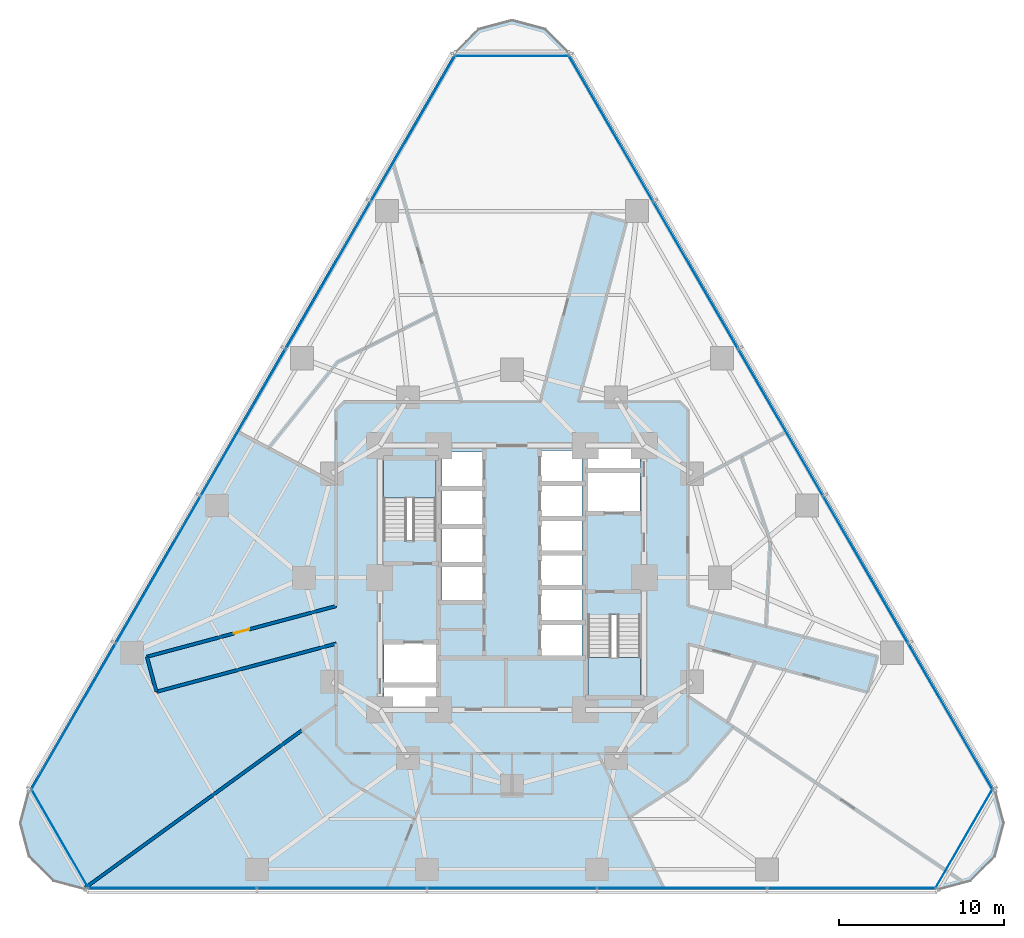
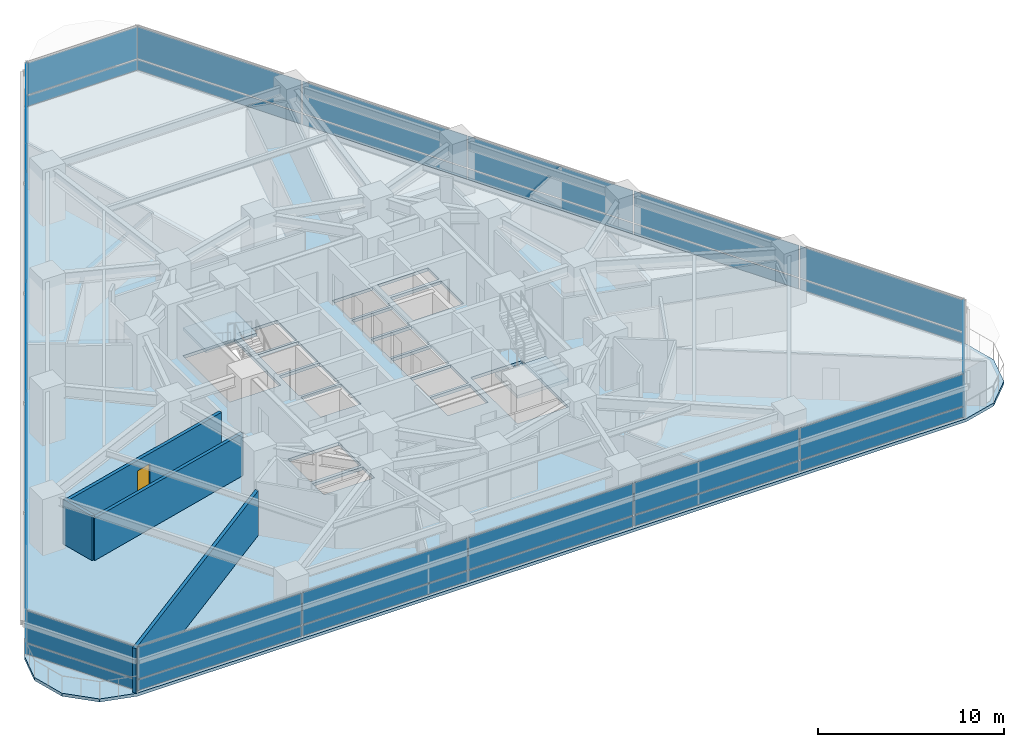
# One storey, part 7 of 16: 36 plates, 4 walls, 3 slabs, 1 door, 1 opening, 8 elements without a shape of their own.
"""IFC4 building model written with IfcOpenShell, lengths in metres."""

import ifcopenshell
import ifcopenshell.guid

model = None  # the IFC model being written
_history = None  # IfcOwnerHistory: only IFC2X3 demands one
_inside = {}  # id of a spatial element -> (the spatial element, [elements in it])
_under = {}  # id of a project, library or spatial element -> (it, [spatial elements below it])
_declared = {}  # id of a project -> (the project, [libraries it declares])
_typed = {}  # id of a type object -> (the type object, [elements of that type])
_made_of = {}  # id of a material, layer set ... -> (it, [elements and type objects made of it])


def new_model(schema):
    """Start an empty IFC model of exactly this schema.

    Asked for "IFC4X3", IfcOpenShell would pick the latest addendum, in which some entities
    have other attributes; the version numbers below select the first issue.
    IFC2X3 requires an IfcOwnerHistory on every rooted entity: one is made here for all.
    """
    global model, _history
    if schema == "IFC4X3":
        model = ifcopenshell.file(schema_version=(4, 3, 0, 0))
    else:
        model = ifcopenshell.file(schema=schema)
    _inside.clear()
    _under.clear()
    _declared.clear()
    _typed.clear()
    _made_of.clear()
    _history = None
    if model.schema == "IFC2X3":
        org = make("IfcOrganization", Name="unknown")
        user = make(
            "IfcPersonAndOrganization",
            ThePerson=make("IfcPerson", FamilyName="unknown"),
            TheOrganization=org,
        )
        app = make(
            "IfcApplication",
            ApplicationDeveloper=org,
            Version="unknown",
            ApplicationFullName="unknown",
            ApplicationIdentifier="unknown",
        )
        _history = make(
            "IfcOwnerHistory",
            OwningUser=user,
            OwningApplication=app,
            ChangeAction="ADDED",
            CreationDate=0,
        )
    return model


def make(cls, **values):
    """One entity of the class cls with the attributes given. An attribute that is None is left unset."""
    return model.create_entity(
        cls, **{name: value for name, value in values.items() if value is not None}
    )


def rooted(cls, **values):
    """An entity with a GlobalId (a new one), such as an element, a storey or a relation."""
    return make(cls, GlobalId=ifcopenshell.guid.new(), OwnerHistory=_history, **values)


def si_unit(unit_type, name, prefix=None):
    """IfcSIUnit, for example si_unit("LENGTHUNIT", "METRE", prefix="MILLI")."""
    return make("IfcSIUnit", UnitType=unit_type, Prefix=prefix, Name=name)


def assignment(units):
    """IfcUnitAssignment: the units of a project."""
    return None if units is None else make("IfcUnitAssignment", Units=units)


def point(xyz):
    """IfcCartesianPoint."""
    return None if xyz is None else make("IfcCartesianPoint", Coordinates=xyz)


def direction(xyz):
    """IfcDirection."""
    return None if xyz is None else make("IfcDirection", DirectionRatios=xyz)


def frame(location, z_axis=None, x_axis=None):
    """IfcAxis2Placement3D, a coordinate frame: its origin and axes. An axis left out is left unset."""
    return make(
        "IfcAxis2Placement3D",
        Location=point(location),
        Axis=direction(z_axis),
        RefDirection=direction(x_axis),
    )


def frame_2d(location, x_axis=None):
    """IfcAxis2Placement2D, a coordinate frame in the plane: its origin and x axis."""
    return make(
        "IfcAxis2Placement2D", Location=point(location), RefDirection=direction(x_axis)
    )


def origin():
    """The frame at (0, 0, 0) with its axes left unset."""
    return frame((0.0, 0.0, 0.0))


def origin_2d():
    """The frame at (0, 0) in the plane with its x axis left unset."""
    return frame_2d((0.0, 0.0))


def place(relative_to, where):
    """IfcLocalPlacement: puts the frame where relative to a parent placement (None: the world)."""
    return make(
        "IfcLocalPlacement", PlacementRelTo=relative_to, RelativePlacement=where
    )


def context(
    kind, dimensions, precision=None, world=None, true_north=None, identifier=None
):
    """IfcGeometricRepresentationContext, for example the 3D "Model" context."""
    return make(
        "IfcGeometricRepresentationContext",
        ContextIdentifier=identifier,
        ContextType=kind,
        CoordinateSpaceDimension=dimensions,
        Precision=precision,
        WorldCoordinateSystem=world,
        TrueNorth=true_north,
    )


def subcontext(parent, identifier, kind, view, scale=None):
    """IfcGeometricRepresentationSubContext, for example "Body" below "Model"."""
    return make(
        "IfcGeometricRepresentationSubContext",
        ContextIdentifier=identifier,
        ContextType=kind,
        ParentContext=parent,
        TargetScale=scale,
        TargetView=view,
    )


def project(units=None, contexts=None):
    """IfcProject with its units and contexts."""
    return rooted(
        "IfcProject",
        Name="project",
        RepresentationContexts=contexts,
        UnitsInContext=assignment(units),
    )


def spatial(cls, under=None, at=None, **own):
    """A site, building, storey or space (cls), placed at a placement, below another one or the project."""
    s = rooted(cls, ObjectPlacement=at, **own)
    if under is not None:
        _under.setdefault(under.id(), (under, []))[1].append(s)
    return s


def polyline(points):
    """IfcPolyline through the points."""
    return make("IfcPolyline", Points=[point(p) for p in points])


def profile(cls, at=None, kind="AREA", **sizes):
    """A parametric profile (cls). Its sizes go by their IFC names, for example OverallWidth=200.0."""
    return make(cls, ProfileType=kind, Position=at, **sizes)


def rectangle(**sizes):
    """IfcRectangleProfileDef."""
    return profile("IfcRectangleProfileDef", **sizes)


def outline(outer, holes=None, kind="AREA"):
    """IfcArbitraryClosedProfileDef: a profile drawn as a closed curve; with holes, ...WithVoids."""
    if holes is None:
        return make("IfcArbitraryClosedProfileDef", ProfileType=kind, OuterCurve=outer)
    return make(
        "IfcArbitraryProfileDefWithVoids",
        ProfileType=kind,
        OuterCurve=outer,
        InnerCurves=holes,
    )


def extrude(swept, where, along, depth):
    """IfcExtrudedAreaSolid: the profile swept, set in the frame where, extruded along a direction by depth."""
    return make(
        "IfcExtrudedAreaSolid",
        SweptArea=swept,
        Position=where,
        ExtrudedDirection=direction(along),
        Depth=depth,
    )


def shape(context_of_items, identifier, shape_type, items):
    """IfcShapeRepresentation: the items that make up one representation, for example the "Body"."""
    return make(
        "IfcShapeRepresentation",
        ContextOfItems=context_of_items,
        RepresentationIdentifier=identifier,
        RepresentationType=shape_type,
        Items=items,
    )


def material(Name=None, Category=None):
    """IfcMaterial."""
    return make("IfcMaterial", Name=Name, Category=Category)


def layer(
    of_material, thickness, ventilated=None, Name=None, Category=None, Priority=None
):
    """IfcMaterialLayer: one layer of a wall or slab, of a material (None: an air gap)."""
    return make(
        "IfcMaterialLayer",
        Material=of_material,
        LayerThickness=thickness,
        IsVentilated=ventilated,
        Name=Name,
        Category=Category,
        Priority=Priority,
    )


def layer_set(layers, Name=None):
    """IfcMaterialLayerSet."""
    return make("IfcMaterialLayerSet", MaterialLayers=layers, LayerSetName=Name)


def made_of(thing, what):
    """Note that an element or type object is made of a material, layer set ...; save() writes the relation."""
    if what is not None:
        _made_of.setdefault(what.id(), (what, []))[1].append(thing)
    return thing


def type_object(cls, material=None, **own):
    """A type object (cls), such as IfcWallType, which elements share."""
    return made_of(rooted(cls, **own), material)


def element(
    cls,
    number,
    at=None,
    inside=None,
    cuts=None,
    type_object=None,
    material=None,
    context=None,
    identifier="Body",
    shape_type=None,
    held_by="IfcProductDefinitionShape",
    body=None,
    shapes=None,
    **own,
):
    """One element of the class cls, such as IfcWall. Its Tag is "e" and its number.

    at: its placement. inside: the storey or other place that contains it. cuts: it is an
    opening in that element (IfcRelVoidsElement). A single representation is given by context,
    identifier, shape_type and body (its items); several are given by shapes. held_by: the class
    of the entity that holds the representations. save() writes the other relations.
    """
    e = rooted(cls, Tag="e%d" % number, ObjectPlacement=at, **own)
    if body is not None:
        shapes = [shape(context, identifier, shape_type, body)]
    if shapes is not None:
        e.Representation = make(held_by, Representations=shapes)
    if inside is not None:
        _inside.setdefault(inside.id(), (inside, []))[1].append(e)
    if cuts is not None:
        rooted(
            "IfcRelVoidsElement", RelatingBuildingElement=cuts, RelatedOpeningElement=e
        )
    if type_object is not None:
        _typed.setdefault(type_object.id(), (type_object, []))[1].append(e)
    return made_of(e, material)


def fill(opening, filler):
    """IfcRelFillsElement: the door or window that sits in an opening."""
    return rooted(
        "IfcRelFillsElement",
        RelatingOpeningElement=opening,
        RelatedBuildingElement=filler,
    )


def aggregate(whole, parts):
    """IfcRelAggregates: a whole, such as a stair, and the parts it consists of."""
    return rooted("IfcRelAggregates", RelatingObject=whole, RelatedObjects=parts)


def save(model, path):
    """Write the relations noted so far, then the file.

    IfcRelAggregates (storeys below a building ...), IfcRelContainedInSpatialStructure (elements
    in a storey), IfcRelDefinesByType, IfcRelAssociatesMaterial and IfcRelDeclares: one each for
    every whole, place, type object, material and project.
    """
    for whole, parts in _under.values():
        aggregate(whole, parts)
    for where, things in _inside.values():
        rooted(
            "IfcRelContainedInSpatialStructure",
            RelatedElements=things,
            RelatingStructure=where,
        )
    for kind, things in _typed.values():
        rooted("IfcRelDefinesByType", RelatedObjects=things, RelatingType=kind)
    for what, things in _made_of.values():
        rooted("IfcRelAssociatesMaterial", RelatedObjects=things, RelatingMaterial=what)
    for by, libraries in _declared.values():
        rooted("IfcRelDeclares", RelatingContext=by, RelatedDefinitions=libraries)
    model.write(path)


model = new_model("IFC4")

# Units and contexts
model_context = context("Model", 3, precision=1e-05, world=origin(), true_north=direction((0.0, 1.0)))
body_context = subcontext(model_context, "Body", "Model", "MODEL_VIEW")
ifc_project = project(units=[si_unit("LENGTHUNIT", "METRE"), si_unit("AREAUNIT", "SQUARE_METRE"), si_unit("VOLUMEUNIT", "CUBIC_METRE"), si_unit("PLANEANGLEUNIT", "RADIAN"), si_unit("MASSUNIT", "GRAM", prefix="KILO")], contexts=[model_context])

# Site, building, storey
site_placement = place(None, origin())
site = spatial("IfcSite", under=ifc_project, at=site_placement, CompositionType="ELEMENT")
building_placement = place(site_placement, origin())
building = spatial("IfcBuilding", under=site, at=building_placement, Name="Terralouvre Media Tower", CompositionType="ELEMENT")
storey_placement = place(building_placement, frame((0.0, 0.0, 37.10009765625)))
storey = spatial("IfcBuildingStorey", under=building, at=storey_placement, Name="L08", CompositionType="ELEMENT", Elevation=37.10009765625)

# Slab
ifc_material_1 = material(Name="Concrete C40/50", Category="concrete")
ifc_layer_1 = layer(ifc_material_1, 0.199951171875, Name="Composite Tower Floor Slab S-TYP200")
ifc_layer_set_1 = layer_set([ifc_layer_1], Name="Concrete C40/50")
slab_type_1 = type_object("IfcSlabType", Name="Composite Tower Floor Slab S-TYP200", PredefinedType="FLOOR", material=ifc_layer_set_1)
slab_1_placement = place(storey_placement, frame((0.0, 0.0, -0.2001953125)))
element("IfcSlab", 1, at=slab_1_placement, inside=storey, type_object=slab_type_1, Name="L08 Structural Floor Slab", PredefinedType="FLOOR", context=body_context, shape_type="SweptSolid", body=[
    extrude(outline(polyline([(-29.25732421875, -12.841796875), (-29.800048828125, -14.86669921875), (-29.25732421875, -16.891845703125), (-27.77490234375, -18.374267578125), (-25.75, -18.916748046875), (25.75, -18.916748046875), (27.77490234375, -18.374267578125), (29.25732421875, -16.891845703125), (29.800048828125, -14.86669921875), (29.25732421875, -12.841796875), (3.50732421875, 31.758544921875), (2.02490234375, 33.240966796875), (0.0, 33.783447265625), (-2.02490234375, 33.240966796875), (-3.50732421875, 31.758544921875), (-29.25732421875, -12.841796875)]), holes=[polyline([(-4.60009765625, -7.800048828125), (-7.75, -7.800048828125), (-7.75, -6.60009765625), (-4.60009765625, -6.60009765625), (-4.60009765625, -7.800048828125)]), polyline([(-4.60009765625, -6.39990234375), (-7.75, -6.39990234375), (-7.75, -3.949951171875), (-4.60009765625, -3.949951171875), (-4.60009765625, -6.39990234375)]), polyline([(-1.75, -1.419921875), (-4.25, -1.419921875), (-4.25, 0.719970703125), (-1.75, 0.719970703125), (-1.75, -1.419921875)]), polyline([(-1.75, 0.8798828125), (-4.25, 0.8798828125), (-4.25, 3.02001953125), (-1.75, 3.02001953125), (-1.75, 0.8798828125)]), polyline([(4.25, 1.580078125), (1.75, 1.580078125), (1.75, 3.52001953125), (4.25, 3.52001953125), (4.25, 1.580078125)]), polyline([(-1.75, 3.179931640625), (-4.25, 3.179931640625), (-4.25, 5.320068359375), (-1.75, 5.320068359375), (-1.75, 3.179931640625)]), polyline([(-4.60009765625, 2.2451171875), (-7.780029296875, 2.2451171875), (-7.780029296875, 7.260009765625), (-4.60009765625, 7.260009765625), (-4.60009765625, 2.2451171875)]), polyline([(-1.75, 5.47998046875), (-4.25, 5.47998046875), (-4.25, 7.6201171875), (-1.75, 7.6201171875), (-1.75, 5.47998046875)]), polyline([(4.60009765625, -2.2451171875), (7.780029296875, -2.2451171875), (7.780029296875, -7.260009765625), (4.60009765625, -7.260009765625), (4.60009765625, -2.2451171875)]), polyline([(4.25, -4.719970703125), (1.75, -4.719970703125), (1.75, -2.780029296875), (4.25, -2.780029296875), (4.25, -4.719970703125)]), polyline([(4.25, -2.6201171875), (1.75, -2.6201171875), (1.75, -0.679931640625), (4.25, -0.679931640625), (4.25, -2.6201171875)]), polyline([(4.25, -0.52001953125), (1.75, -0.52001953125), (1.75, 1.419921875), (4.25, 1.419921875), (4.25, -0.52001953125)]), polyline([(4.25, 3.679931640625), (1.75, 3.679931640625), (1.75, 5.6201171875), (4.25, 5.6201171875), (4.25, 3.679931640625)]), polyline([(7.75, 3.949951171875), (4.60009765625, 3.949951171875), (4.60009765625, 6.39990234375), (7.75, 6.39990234375), (7.75, 3.949951171875)]), polyline([(4.25, 5.780029296875), (1.75, 5.780029296875), (1.75, 7.719970703125), (4.25, 7.719970703125), (4.25, 5.780029296875)]), polyline([(7.75, 6.60009765625), (4.60009765625, 6.60009765625), (4.60009765625, 7.800048828125), (7.75, 7.800048828125), (7.75, 6.60009765625)])]), origin(), (0.0, 0.0, 1.0), 0.2001953125),
])

# Stair, slab
ifc_material_2 = material(Name="Concrete C45/55", Category="concrete")
stair_type_1 = type_object("IfcStairType", Name="Dogleg Stair Assembly ST-01", PredefinedType="HALF_TURN_STAIR", material=ifc_material_2)
stair_1_placement = place(storey_placement, origin())
stair_1 = element("IfcStair", 2, at=stair_1_placement, inside=storey, type_object=stair_type_1, Name="L08 Core Pressurised Exit Stair ST-01", PredefinedType="HALF_TURN_STAIR")
ifc_material_3 = material(Name="Concrete C45/55", Category="concrete")
ifc_layer_2 = layer(ifc_material_3, 0.199951171875, Name="Reinforced Concrete Stair Half-Landing SL-LD1")
ifc_layer_set_2 = layer_set([ifc_layer_2], Name="Concrete C45/55")
slab_type_2 = type_object("IfcSlabType", Name="Reinforced Concrete Stair Half-Landing SL-LD1", PredefinedType="LANDING", material=ifc_layer_set_2)
slab_2_placement = place(storey_placement, frame((0.0, 0.0, 1.64990234375)))
slab_2 = element("IfcSlab", 3, at=slab_2_placement, type_object=slab_type_2, Name="ST-01 landing 1", PredefinedType="LANDING", context=body_context, shape_type="SweptSolid", body=[
    extrude(outline(polyline([(-4.60009765625, 4.820068359375), (-4.60009765625, 7.260009765625), (-7.780029296875, 7.260009765625), (-7.780029296875, 4.820068359375), (-4.60009765625, 4.820068359375)])), origin(), (0.0, 0.0, 1.0), 0.199951171875),
])
aggregate(stair_1, [slab_2])

ifc_material_4 = material(Name="Concrete C45/55", Category="concrete")
stair_type_2 = type_object("IfcStairType", Name="Dogleg Stair Assembly ST-02", PredefinedType="HALF_TURN_STAIR", material=ifc_material_4)
stair_2_placement = place(storey_placement, origin())
stair_2 = element("IfcStair", 4, at=stair_2_placement, inside=storey, type_object=stair_type_2, Name="L08 Core Pressurised Exit Stair ST-02", PredefinedType="HALF_TURN_STAIR")
slab_3_placement = place(storey_placement, frame((0.0, 0.0, 1.64990234375)))
slab_3 = element("IfcSlab", 5, at=slab_3_placement, type_object=slab_type_2, Name="ST-02 landing 1", PredefinedType="LANDING", context=body_context, shape_type="SweptSolid", body=[
    extrude(outline(polyline([(4.60009765625, -4.820068359375), (4.60009765625, -7.260009765625), (7.780029296875, -7.260009765625), (7.780029296875, -4.820068359375), (4.60009765625, -4.820068359375)])), origin(), (0.0, 0.0, 1.0), 0.199951171875),
])
aggregate(stair_2, [slab_3])

# Curtain wall, plates
ifc_material_5 = material(Name="Low-iron laminated double glazing with solar-control coating", Category="glass")
ifc_layer_3 = layer(ifc_material_5, 0.1650390625, Name="Rounded Wind-Corner Curved Glazing CW-04")
ifc_layer_set_3 = layer_set([ifc_layer_3], Name="Low-iron laminated double glazing with solar-control coating")
curtain_wall_type_1 = type_object("IfcCurtainWallType", Name="Rounded Wind-Corner Curved Glazing CW-04", PredefinedType="NOTDEFINED", material=ifc_layer_set_3)
curtain_wall_1_placement = place(storey_placement, origin())
curtain_wall_1 = element("IfcCurtainWall", 6, at=curtain_wall_1_placement, inside=storey, type_object=curtain_wall_type_1, Name="L08 Rounded Wind-Corner Curtain Wall C0", PredefinedType="NOTDEFINED")
ifc_material_6 = material(Name="Low-iron laminated double glazing with solar-control coating", Category="glass")
ifc_layer_4 = layer(ifc_material_6, 0.0400390625, Name="Rounded Corner Laminated Vision Panel CWP-03")
ifc_layer_set_4 = layer_set([ifc_layer_4], Name="Low-iron laminated double glazing with solar-control coating")
plate_type_1 = type_object("IfcPlateType", Name="Rounded Corner Laminated Vision Panel CWP-03", PredefinedType="CURTAIN_PANEL", material=ifc_layer_set_4)
plate_1_placement = place(storey_placement, frame((-27.382568359375, -15.809326171875, 0.074951171875), z_axis=(0.0, 0.0, 1.0), x_axis=(0.499999691503, -0.866025581895, 0.0)))
plate_1 = element("IfcPlate", 7, at=plate_1_placement, type_object=plate_type_1, Name="CW-04 panel 1.1", PredefinedType="CURTAIN_PANEL", context=body_context, shape_type="SweptSolid", body=[
    extrude(rectangle(XDim=6.86474609375, YDim=0.035888671875, at=origin_2d()), origin(), (0.0, 0.0, 1.0), 0.6875),
])
plate_2_placement = place(storey_placement, frame((-27.382568359375, -15.809326171875, 0.83740234375), z_axis=(0.0, 0.0, 1.0), x_axis=(0.499999691503, -0.866025581895, 0.0)))
plate_2 = element("IfcPlate", 8, at=plate_2_placement, type_object=plate_type_1, Name="CW-04 panel 1.2", PredefinedType="CURTAIN_PANEL", context=body_context, shape_type="SweptSolid", body=[
    extrude(rectangle(XDim=6.86474609375, YDim=0.035888671875, at=origin_2d()), origin(), (0.0, 0.0, 1.0), 2.08740234375),
])
aggregate(curtain_wall_1, [plate_1, plate_2])

curtain_wall_2_placement = place(storey_placement, origin())
curtain_wall_2 = element("IfcCurtainWall", 9, at=curtain_wall_2_placement, inside=storey, type_object=curtain_wall_type_1, Name="L08 Rounded Wind-Corner Curtain Wall C1", PredefinedType="NOTDEFINED")
plate_3_placement = place(storey_placement, frame((27.382568359375, -15.809326171875, 0.074951171875), z_axis=(0.0, 0.0, 1.0), x_axis=(0.499999691503, 0.866025581895, 0.0)))
plate_3 = element("IfcPlate", 10, at=plate_3_placement, type_object=plate_type_1, Name="CW-04 panel 1.1", PredefinedType="CURTAIN_PANEL", context=body_context, shape_type="SweptSolid", body=[
    extrude(rectangle(XDim=6.86474609375, YDim=0.035888671875, at=origin_2d()), origin(), (0.0, 0.0, 1.0), 0.6875),
])
plate_4_placement = place(storey_placement, frame((27.382568359375, -15.809326171875, 0.83740234375), z_axis=(0.0, 0.0, 1.0), x_axis=(0.499999691503, 0.866025581895, 0.0)))
plate_4 = element("IfcPlate", 11, at=plate_4_placement, type_object=plate_type_1, Name="CW-04 panel 1.2", PredefinedType="CURTAIN_PANEL", context=body_context, shape_type="SweptSolid", body=[
    extrude(rectangle(XDim=6.86474609375, YDim=0.035888671875, at=origin_2d()), origin(), (0.0, 0.0, 1.0), 2.08740234375),
])
aggregate(curtain_wall_2, [plate_3, plate_4])

curtain_wall_3_placement = place(storey_placement, origin())
curtain_wall_3 = element("IfcCurtainWall", 12, at=curtain_wall_3_placement, inside=storey, type_object=curtain_wall_type_1, Name="L08 Rounded Wind-Corner Curtain Wall C2", PredefinedType="NOTDEFINED")
plate_5_placement = place(storey_placement, frame((0.0, 31.61865234375, 0.074951171875), z_axis=(0.0, 0.0, 1.0), x_axis=(-1.0, 0.0, 0.0)))
plate_5 = element("IfcPlate", 13, at=plate_5_placement, type_object=plate_type_1, Name="CW-04 panel 1.1", PredefinedType="CURTAIN_PANEL", context=body_context, shape_type="SweptSolid", body=[
    extrude(rectangle(XDim=6.86474609375, YDim=0.035888671875, at=origin_2d()), origin(), (0.0, 0.0, 1.0), 0.6875),
])
plate_6_placement = place(storey_placement, frame((0.0, 31.61865234375, 0.83740234375), z_axis=(0.0, 0.0, 1.0), x_axis=(-1.0, 0.0, 0.0)))
plate_6 = element("IfcPlate", 14, at=plate_6_placement, type_object=plate_type_1, Name="CW-04 panel 1.2", PredefinedType="CURTAIN_PANEL", context=body_context, shape_type="SweptSolid", body=[
    extrude(rectangle(XDim=6.86474609375, YDim=0.035888671875, at=origin_2d()), origin(), (0.0, 0.0, 1.0), 2.08740234375),
])
aggregate(curtain_wall_3, [plate_5, plate_6])

ifc_material_7 = material(Name="Low-iron laminated double glazing with solar-control coating", Category="glass")
ifc_layer_5 = layer(ifc_material_7, 0.1650390625, Name="Lower Media Tower Unitised Curtain Wall CW-02")
ifc_layer_set_5 = layer_set([ifc_layer_5], Name="Low-iron laminated double glazing with solar-control coating")
curtain_wall_type_2 = type_object("IfcCurtainWallType", Name="Lower Media Tower Unitised Curtain Wall CW-02", PredefinedType="NOTDEFINED", material=ifc_layer_set_5)
curtain_wall_4_placement = place(storey_placement, origin())
curtain_wall_4 = element("IfcCurtainWall", 15, at=curtain_wall_4_placement, inside=storey, type_object=curtain_wall_type_2, Name="L08 Facade Curtain Wall F0", PredefinedType="NOTDEFINED")
ifc_material_8 = material(Name="Low-iron laminated double glazing with solar-control coating", Category="glass")
ifc_layer_6 = layer(ifc_material_8, 0.035888671875, Name="Vision Double-Glazed Unit CWP-01")
ifc_layer_set_6 = layer_set([ifc_layer_6], Name="Low-iron laminated double glazing with solar-control coating")
plate_type_2 = type_object("IfcPlateType", Name="Vision Double-Glazed Unit CWP-01", PredefinedType="CURTAIN_PANEL", material=ifc_layer_set_6)
plate_7_placement = place(storey_placement, frame((-20.581298828125, -18.796875, 0.074951171875), z_axis=(0.0, 0.0, 1.0), x_axis=(1.0, 0.0, 0.0)))
plate_7 = element("IfcPlate", 16, at=plate_7_placement, type_object=plate_type_2, Name="CW-02 panel 1.1", PredefinedType="CURTAIN_PANEL", context=body_context, shape_type="SweptSolid", body=[
    extrude(rectangle(XDim=10.1875, YDim=0.035888671875, at=origin_2d()), origin(), (0.0, 0.0, 1.0), 0.6875),
])
plate_8_placement = place(storey_placement, frame((-20.581298828125, -18.796875, 0.83740234375), z_axis=(0.0, 0.0, 1.0), x_axis=(1.0, 0.0, 0.0)))
plate_8 = element("IfcPlate", 17, at=plate_8_placement, type_object=plate_type_2, Name="CW-02 panel 1.2", PredefinedType="CURTAIN_PANEL", context=body_context, shape_type="SweptSolid", body=[
    extrude(rectangle(XDim=10.1875, YDim=0.035888671875, at=origin_2d()), origin(), (0.0, 0.0, 1.0), 2.08740234375),
])
plate_9_placement = place(storey_placement, frame((-10.300048828125, -18.796875, 0.074951171875), z_axis=(0.0, 0.0, 1.0), x_axis=(1.0, 0.0, 0.0)))
plate_9 = element("IfcPlate", 18, at=plate_9_placement, type_object=plate_type_2, Name="CW-02 panel 2.1", PredefinedType="CURTAIN_PANEL", context=body_context, shape_type="SweptSolid", body=[
    extrude(rectangle(XDim=10.22509765625, YDim=0.035888671875, at=origin_2d()), origin(), (0.0, 0.0, 1.0), 0.6875),
])
plate_10_placement = place(storey_placement, frame((-10.300048828125, -18.796875, 0.83740234375), z_axis=(0.0, 0.0, 1.0), x_axis=(1.0, 0.0, 0.0)))
plate_10 = element("IfcPlate", 19, at=plate_10_placement, type_object=plate_type_2, Name="CW-02 panel 2.2", PredefinedType="CURTAIN_PANEL", context=body_context, shape_type="SweptSolid", body=[
    extrude(rectangle(XDim=10.22509765625, YDim=0.035888671875, at=origin_2d()), origin(), (0.0, 0.0, 1.0), 2.08740234375),
])
plate_11_placement = place(storey_placement, frame((0.0, -18.796875, 0.074951171875), z_axis=(0.0, 0.0, 1.0), x_axis=(1.0, 0.0, 0.0)))
plate_11 = element("IfcPlate", 20, at=plate_11_placement, type_object=plate_type_2, Name="CW-02 panel 3.1", PredefinedType="CURTAIN_PANEL", context=body_context, shape_type="SweptSolid", body=[
    extrude(rectangle(XDim=10.22509765625, YDim=0.035888671875, at=origin_2d()), origin(), (0.0, 0.0, 1.0), 0.6875),
])
plate_12_placement = place(storey_placement, frame((0.0, -18.796875, 0.83740234375), z_axis=(0.0, 0.0, 1.0), x_axis=(1.0, 0.0, 0.0)))
plate_12 = element("IfcPlate", 21, at=plate_12_placement, type_object=plate_type_2, Name="CW-02 panel 3.2", PredefinedType="CURTAIN_PANEL", context=body_context, shape_type="SweptSolid", body=[
    extrude(rectangle(XDim=10.22509765625, YDim=0.035888671875, at=origin_2d()), origin(), (0.0, 0.0, 1.0), 2.08740234375),
])
plate_13_placement = place(storey_placement, frame((10.300048828125, -18.796875, 0.074951171875), z_axis=(0.0, 0.0, 1.0), x_axis=(1.0, 0.0, 0.0)))
plate_13 = element("IfcPlate", 22, at=plate_13_placement, type_object=plate_type_2, Name="CW-02 panel 4.1", PredefinedType="CURTAIN_PANEL", context=body_context, shape_type="SweptSolid", body=[
    extrude(rectangle(XDim=10.22509765625, YDim=0.035888671875, at=origin_2d()), origin(), (0.0, 0.0, 1.0), 0.6875),
])
plate_14_placement = place(storey_placement, frame((10.300048828125, -18.796875, 0.83740234375), z_axis=(0.0, 0.0, 1.0), x_axis=(1.0, 0.0, 0.0)))
plate_14 = element("IfcPlate", 23, at=plate_14_placement, type_object=plate_type_2, Name="CW-02 panel 4.2", PredefinedType="CURTAIN_PANEL", context=body_context, shape_type="SweptSolid", body=[
    extrude(rectangle(XDim=10.22509765625, YDim=0.035888671875, at=origin_2d()), origin(), (0.0, 0.0, 1.0), 2.08740234375),
])
plate_15_placement = place(storey_placement, frame((20.581298828125, -18.796875, 0.074951171875), z_axis=(0.0, 0.0, 1.0), x_axis=(1.0, 0.0, 0.0)))
plate_15 = element("IfcPlate", 24, at=plate_15_placement, type_object=plate_type_2, Name="CW-02 panel 5.1", PredefinedType="CURTAIN_PANEL", context=body_context, shape_type="SweptSolid", body=[
    extrude(rectangle(XDim=10.1875, YDim=0.035888671875, at=origin_2d()), origin(), (0.0, 0.0, 1.0), 0.6875),
])
plate_16_placement = place(storey_placement, frame((20.581298828125, -18.796875, 0.83740234375), z_axis=(0.0, 0.0, 1.0), x_axis=(1.0, 0.0, 0.0)))
plate_16 = element("IfcPlate", 25, at=plate_16_placement, type_object=plate_type_2, Name="CW-02 panel 5.2", PredefinedType="CURTAIN_PANEL", context=body_context, shape_type="SweptSolid", body=[
    extrude(rectangle(XDim=10.1875, YDim=0.035888671875, at=origin_2d()), origin(), (0.0, 0.0, 1.0), 2.08740234375),
])
aggregate(curtain_wall_4, [plate_7, plate_8, plate_9, plate_10, plate_11, plate_12, plate_13, plate_14, plate_15, plate_16])

curtain_wall_5_placement = place(storey_placement, origin())
curtain_wall_5 = element("IfcCurtainWall", 26, at=curtain_wall_5_placement, inside=storey, type_object=curtain_wall_type_2, Name="L08 Facade Curtain Wall F1", PredefinedType="NOTDEFINED")
plate_17_placement = place(storey_placement, frame((26.569091796875, -8.425537109375, 0.074951171875), z_axis=(0.0, 0.0, 1.0), x_axis=(-0.499999985671, 0.866025412057, 0.0)))
plate_17 = element("IfcPlate", 27, at=plate_17_placement, type_object=plate_type_2, Name="CW-02 panel 1.1", PredefinedType="CURTAIN_PANEL", context=body_context, shape_type="SweptSolid", body=[
    extrude(rectangle(XDim=10.1875, YDim=0.035888671875, at=origin_2d()), origin(), (0.0, 0.0, 1.0), 0.6875),
])
plate_18_placement = place(storey_placement, frame((26.569091796875, -8.425537109375, 0.83740234375), z_axis=(0.0, 0.0, 1.0), x_axis=(-0.499999985671, 0.866025412057, 0.0)))
plate_18 = element("IfcPlate", 28, at=plate_18_placement, type_object=plate_type_2, Name="CW-02 panel 1.2", PredefinedType="CURTAIN_PANEL", context=body_context, shape_type="SweptSolid", body=[
    extrude(rectangle(XDim=10.1875, YDim=0.035888671875, at=origin_2d()), origin(), (0.0, 0.0, 1.0), 2.08740234375),
])
plate_19_placement = place(storey_placement, frame((21.428466796875, 0.478271484375, 0.074951171875), z_axis=(0.0, 0.0, 1.0), x_axis=(-0.499999985671, 0.866025412057, 0.0)))
plate_19 = element("IfcPlate", 29, at=plate_19_placement, type_object=plate_type_2, Name="CW-02 panel 2.1", PredefinedType="CURTAIN_PANEL", context=body_context, shape_type="SweptSolid", body=[
    extrude(rectangle(XDim=10.22509765625, YDim=0.035888671875, at=origin_2d()), origin(), (0.0, 0.0, 1.0), 0.6875),
])
plate_20_placement = place(storey_placement, frame((21.428466796875, 0.478271484375, 0.83740234375), z_axis=(0.0, 0.0, 1.0), x_axis=(-0.499999985671, 0.866025412057, 0.0)))
plate_20 = element("IfcPlate", 30, at=plate_20_placement, type_object=plate_type_2, Name="CW-02 panel 2.2", PredefinedType="CURTAIN_PANEL", context=body_context, shape_type="SweptSolid", body=[
    extrude(rectangle(XDim=10.22509765625, YDim=0.035888671875, at=origin_2d()), origin(), (0.0, 0.0, 1.0), 2.08740234375),
])
plate_21_placement = place(storey_placement, frame((16.278564453125, 9.3984375, 0.074951171875), z_axis=(0.0, 0.0, 1.0), x_axis=(-0.499999985671, 0.866025412057, 0.0)))
plate_21 = element("IfcPlate", 31, at=plate_21_placement, type_object=plate_type_2, Name="CW-02 panel 3.1", PredefinedType="CURTAIN_PANEL", context=body_context, shape_type="SweptSolid", body=[
    extrude(rectangle(XDim=10.22509765625, YDim=0.035888671875, at=origin_2d()), origin(), (0.0, 0.0, 1.0), 0.6875),
])
plate_22_placement = place(storey_placement, frame((16.278564453125, 9.3984375, 0.83740234375), z_axis=(0.0, 0.0, 1.0), x_axis=(-0.499999985671, 0.866025412057, 0.0)))
plate_22 = element("IfcPlate", 32, at=plate_22_placement, type_object=plate_type_2, Name="CW-02 panel 3.2", PredefinedType="CURTAIN_PANEL", context=body_context, shape_type="SweptSolid", body=[
    extrude(rectangle(XDim=10.22509765625, YDim=0.035888671875, at=origin_2d()), origin(), (0.0, 0.0, 1.0), 2.08740234375),
])
plate_23_placement = place(storey_placement, frame((11.12841796875, 18.318359375, 0.074951171875), z_axis=(0.0, 0.0, 1.0), x_axis=(-0.499999985671, 0.866025412057, 0.0)))
plate_23 = element("IfcPlate", 33, at=plate_23_placement, type_object=plate_type_2, Name="CW-02 panel 4.1", PredefinedType="CURTAIN_PANEL", context=body_context, shape_type="SweptSolid", body=[
    extrude(rectangle(XDim=10.22509765625, YDim=0.035888671875, at=origin_2d()), origin(), (0.0, 0.0, 1.0), 0.6875),
])
plate_24_placement = place(storey_placement, frame((11.12841796875, 18.318359375, 0.83740234375), z_axis=(0.0, 0.0, 1.0), x_axis=(-0.499999985671, 0.866025412057, 0.0)))
plate_24 = element("IfcPlate", 34, at=plate_24_placement, type_object=plate_type_2, Name="CW-02 panel 4.2", PredefinedType="CURTAIN_PANEL", context=body_context, shape_type="SweptSolid", body=[
    extrude(rectangle(XDim=10.22509765625, YDim=0.035888671875, at=origin_2d()), origin(), (0.0, 0.0, 1.0), 2.08740234375),
])
plate_25_placement = place(storey_placement, frame((5.98779296875, 27.22216796875, 0.074951171875), z_axis=(0.0, 0.0, 1.0), x_axis=(-0.499999985671, 0.866025412057, 0.0)))
plate_25 = element("IfcPlate", 35, at=plate_25_placement, type_object=plate_type_2, Name="CW-02 panel 5.1", PredefinedType="CURTAIN_PANEL", context=body_context, shape_type="SweptSolid", body=[
    extrude(rectangle(XDim=10.1875, YDim=0.035888671875, at=origin_2d()), origin(), (0.0, 0.0, 1.0), 0.6875),
])
plate_26_placement = place(storey_placement, frame((5.98779296875, 27.22216796875, 0.83740234375), z_axis=(0.0, 0.0, 1.0), x_axis=(-0.499999985671, 0.866025412057, 0.0)))
plate_26 = element("IfcPlate", 36, at=plate_26_placement, type_object=plate_type_2, Name="CW-02 panel 5.2", PredefinedType="CURTAIN_PANEL", context=body_context, shape_type="SweptSolid", body=[
    extrude(rectangle(XDim=10.1875, YDim=0.035888671875, at=origin_2d()), origin(), (0.0, 0.0, 1.0), 2.08740234375),
])
aggregate(curtain_wall_5, [plate_17, plate_18, plate_19, plate_20, plate_21, plate_22, plate_23, plate_24, plate_25, plate_26])

curtain_wall_6_placement = place(storey_placement, origin())
curtain_wall_6 = element("IfcCurtainWall", 37, at=curtain_wall_6_placement, inside=storey, type_object=curtain_wall_type_2, Name="L08 Facade Curtain Wall F2", PredefinedType="NOTDEFINED")
plate_27_placement = place(storey_placement, frame((-5.98779296875, 27.22216796875, 0.074951171875), z_axis=(0.0, 0.0, 1.0), x_axis=(-0.499999985671, -0.866025412057, 0.0)))
plate_27 = element("IfcPlate", 38, at=plate_27_placement, type_object=plate_type_2, Name="CW-02 panel 1.1", PredefinedType="CURTAIN_PANEL", context=body_context, shape_type="SweptSolid", body=[
    extrude(rectangle(XDim=10.1875, YDim=0.035888671875, at=origin_2d()), origin(), (0.0, 0.0, 1.0), 0.6875),
])
plate_28_placement = place(storey_placement, frame((-5.98779296875, 27.22216796875, 0.83740234375), z_axis=(0.0, 0.0, 1.0), x_axis=(-0.499999985671, -0.866025412057, 0.0)))
plate_28 = element("IfcPlate", 39, at=plate_28_placement, type_object=plate_type_2, Name="CW-02 panel 1.2", PredefinedType="CURTAIN_PANEL", context=body_context, shape_type="SweptSolid", body=[
    extrude(rectangle(XDim=10.1875, YDim=0.035888671875, at=origin_2d()), origin(), (0.0, 0.0, 1.0), 2.08740234375),
])
plate_29_placement = place(storey_placement, frame((-11.12841796875, 18.318359375, 0.074951171875), z_axis=(0.0, 0.0, 1.0), x_axis=(-0.499999985671, -0.866025412057, 0.0)))
plate_29 = element("IfcPlate", 40, at=plate_29_placement, type_object=plate_type_2, Name="CW-02 panel 2.1", PredefinedType="CURTAIN_PANEL", context=body_context, shape_type="SweptSolid", body=[
    extrude(rectangle(XDim=10.22509765625, YDim=0.035888671875, at=origin_2d()), origin(), (0.0, 0.0, 1.0), 0.6875),
])
plate_30_placement = place(storey_placement, frame((-11.12841796875, 18.318359375, 0.83740234375), z_axis=(0.0, 0.0, 1.0), x_axis=(-0.499999985671, -0.866025412057, 0.0)))
plate_30 = element("IfcPlate", 41, at=plate_30_placement, type_object=plate_type_2, Name="CW-02 panel 2.2", PredefinedType="CURTAIN_PANEL", context=body_context, shape_type="SweptSolid", body=[
    extrude(rectangle(XDim=10.22509765625, YDim=0.035888671875, at=origin_2d()), origin(), (0.0, 0.0, 1.0), 2.08740234375),
])
plate_31_placement = place(storey_placement, frame((-16.278564453125, 9.3984375, 0.074951171875), z_axis=(0.0, 0.0, 1.0), x_axis=(-0.499999985671, -0.866025412057, 0.0)))
plate_31 = element("IfcPlate", 42, at=plate_31_placement, type_object=plate_type_2, Name="CW-02 panel 3.1", PredefinedType="CURTAIN_PANEL", context=body_context, shape_type="SweptSolid", body=[
    extrude(rectangle(XDim=10.22509765625, YDim=0.035888671875, at=origin_2d()), origin(), (0.0, 0.0, 1.0), 0.6875),
])
plate_32_placement = place(storey_placement, frame((-16.278564453125, 9.3984375, 0.83740234375), z_axis=(0.0, 0.0, 1.0), x_axis=(-0.499999985671, -0.866025412057, 0.0)))
plate_32 = element("IfcPlate", 43, at=plate_32_placement, type_object=plate_type_2, Name="CW-02 panel 3.2", PredefinedType="CURTAIN_PANEL", context=body_context, shape_type="SweptSolid", body=[
    extrude(rectangle(XDim=10.22509765625, YDim=0.035888671875, at=origin_2d()), origin(), (0.0, 0.0, 1.0), 2.08740234375),
])
plate_33_placement = place(storey_placement, frame((-21.428466796875, 0.478271484375, 0.074951171875), z_axis=(0.0, 0.0, 1.0), x_axis=(-0.499999985671, -0.866025412057, 0.0)))
plate_33 = element("IfcPlate", 44, at=plate_33_placement, type_object=plate_type_2, Name="CW-02 panel 4.1", PredefinedType="CURTAIN_PANEL", context=body_context, shape_type="SweptSolid", body=[
    extrude(rectangle(XDim=10.22509765625, YDim=0.035888671875, at=origin_2d()), origin(), (0.0, 0.0, 1.0), 0.6875),
])
plate_34_placement = place(storey_placement, frame((-21.428466796875, 0.478271484375, 0.83740234375), z_axis=(0.0, 0.0, 1.0), x_axis=(-0.499999985671, -0.866025412057, 0.0)))
plate_34 = element("IfcPlate", 45, at=plate_34_placement, type_object=plate_type_2, Name="CW-02 panel 4.2", PredefinedType="CURTAIN_PANEL", context=body_context, shape_type="SweptSolid", body=[
    extrude(rectangle(XDim=10.22509765625, YDim=0.035888671875, at=origin_2d()), origin(), (0.0, 0.0, 1.0), 2.08740234375),
])
plate_35_placement = place(storey_placement, frame((-26.569091796875, -8.425537109375, 0.074951171875), z_axis=(0.0, 0.0, 1.0), x_axis=(-0.499999985671, -0.866025412057, 0.0)))
plate_35 = element("IfcPlate", 46, at=plate_35_placement, type_object=plate_type_2, Name="CW-02 panel 5.1", PredefinedType="CURTAIN_PANEL", context=body_context, shape_type="SweptSolid", body=[
    extrude(rectangle(XDim=10.1875, YDim=0.035888671875, at=origin_2d()), origin(), (0.0, 0.0, 1.0), 0.6875),
])
plate_36_placement = place(storey_placement, frame((-26.569091796875, -8.425537109375, 0.83740234375), z_axis=(0.0, 0.0, 1.0), x_axis=(-0.499999985671, -0.866025412057, 0.0)))
plate_36 = element("IfcPlate", 47, at=plate_36_placement, type_object=plate_type_2, Name="CW-02 panel 5.2", PredefinedType="CURTAIN_PANEL", context=body_context, shape_type="SweptSolid", body=[
    extrude(rectangle(XDim=10.1875, YDim=0.035888671875, at=origin_2d()), origin(), (0.0, 0.0, 1.0), 2.08740234375),
])
aggregate(curtain_wall_6, [plate_27, plate_28, plate_29, plate_30, plate_31, plate_32, plate_33, plate_34, plate_35, plate_36])

# Wall, opening, door
ifc_material_9 = material(Name="Fire-rated gypsum board drywall partition")
ifc_layer_7 = layer(ifc_material_9, 0.199951171875, Name="Fire-Rated Shaft and Lobby Partition FW-200")
ifc_layer_set_7 = layer_set([ifc_layer_7], Name="Fire-rated gypsum board drywall partition")
wall_type = type_object("IfcWallType", Name="Fire-Rated Shaft and Lobby Partition FW-200", PredefinedType="SOLIDWALL", material=ifc_layer_set_7)
wall_1_placement = place(storey_placement, frame((-10.64990234375, -1.715087890625, 0.0), z_axis=(0.0, 0.0, 1.0), x_axis=(-0.965926659449, -0.258815935688, 0.0)))
wall_1 = element("IfcWall", 48, at=wall_1_placement, inside=storey, type_object=wall_type, Name="L08 Interior Partition 009", PredefinedType="SOLIDWALL", context=body_context, shape_type="SweptSolid", body=[
    extrude(rectangle(XDim=11.86962890625, YDim=0.199951171875, at=frame_2d((5.934814453125, 0.0))), origin(), (0.0, 0.0, 1.0), 2.784912109375),
])
opening_placement = place(wall_1_placement, frame((5.459716796875, 0.0, 0.0)))
opening = element("IfcOpeningElement", 49, at=opening_placement, cuts=wall_1, Name="Opening FD-02-95X210", PredefinedType="OPENING", context=body_context, shape_type="SweptSolid", body=[
    extrude(rectangle(XDim=0.949951171875, YDim=2.10009765625, at=frame_2d((0.47509765625, 1.050048828125))), frame((0.0, 0.10986328125, 0.0), z_axis=(0.0, -1.0, 0.0), x_axis=(1.0, 0.0, 0.0)), (0.0, 0.0, 1.0), 0.219970703125),
])
ifc_material_10 = material(Name="Galvanised steel fire-resisting leaf", Category="steel")
door_type = type_object("IfcDoorType", Name="Plant and Riser Fire Door FD-02 (950x2100)", OperationType="NOTDEFINED", PredefinedType="DOOR", material=ifc_material_10)
door_placement = place(opening_placement, origin())
door = element("IfcDoor", 50, at=door_placement, inside=storey, type_object=door_type, Name="L08 Lighting Dimmer Switch Room 2 Door", OperationType="SINGLE_SWING_LEFT", OverallHeight=2.10009765625, OverallWidth=0.949951171875, PredefinedType="DOOR", context=body_context, shape_type="SweptSolid", body=[
    extrude(rectangle(XDim=0.949951171875, YDim=2.10009765625, at=frame_2d((0.47509765625, 1.050048828125))), frame((0.0, 0.02490234375, 0.0), z_axis=(0.0, -1.0, 0.0), x_axis=(1.0, 0.0, 0.0)), (0.0, 0.0, 1.0), 0.050048828125),
])
fill(opening, door)

# Walls
wall_2_placement = place(storey_placement, frame((-22.114990234375, -4.787109375, 0.0), z_axis=(0.0, 0.0, 1.0), x_axis=(0.259105843213, -0.965848933329, 0.0)))
element("IfcWall", 51, at=wall_2_placement, inside=storey, type_object=wall_type, Name="L08 Interior Partition 010", PredefinedType="SOLIDWALL", context=body_context, shape_type="SweptSolid", body=[
    extrude(rectangle(XDim=2.2001953125, YDim=0.199951171875, at=frame_2d((1.10009765625, 0.0))), origin(), (0.0, 0.0, 1.0), 2.934814453125),
])
wall_3_placement = place(storey_placement, frame((-21.544921875, -6.912109375, 0.0), z_axis=(0.0, 0.0, 1.0), x_axis=(0.965906888357, 0.258889712088, 0.0)))
element("IfcWall", 52, at=wall_3_placement, inside=storey, type_object=wall_type, Name="L08 Interior Partition 011", PredefinedType="SOLIDWALL", context=body_context, shape_type="SweptSolid", body=[
    extrude(rectangle(XDim=11.279541015625, YDim=0.199951171875, at=frame_2d((5.6396484375, 0.0))), origin(), (0.0, 0.0, 1.0), 2.784912109375),
])
wall_4_placement = place(storey_placement, frame((-25.87646484375, -18.800048828125, 0.0), z_axis=(0.0, 0.0, 1.0), x_axis=(0.809014839236, 0.587788218575, 0.0)))
element("IfcWall", 53, at=wall_4_placement, inside=storey, type_object=wall_type, Name="L08 Interior Partition 037", PredefinedType="SOLIDWALL", context=body_context, shape_type="SweptSolid", body=[
    extrude(rectangle(XDim=16.242431640625, YDim=0.199951171875, at=frame_2d((8.12109375, 0.0))), origin(), (0.0, 0.0, 1.0), 2.934814453125),
])

save(model, "model.ifc")
